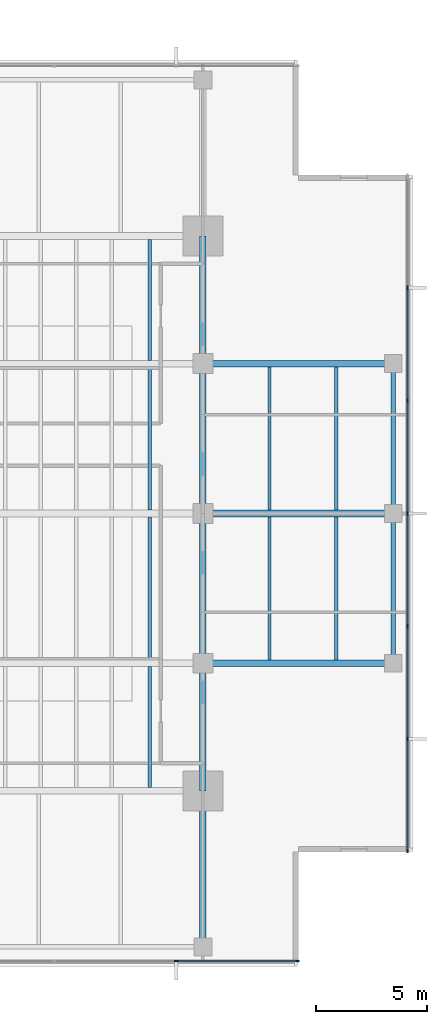
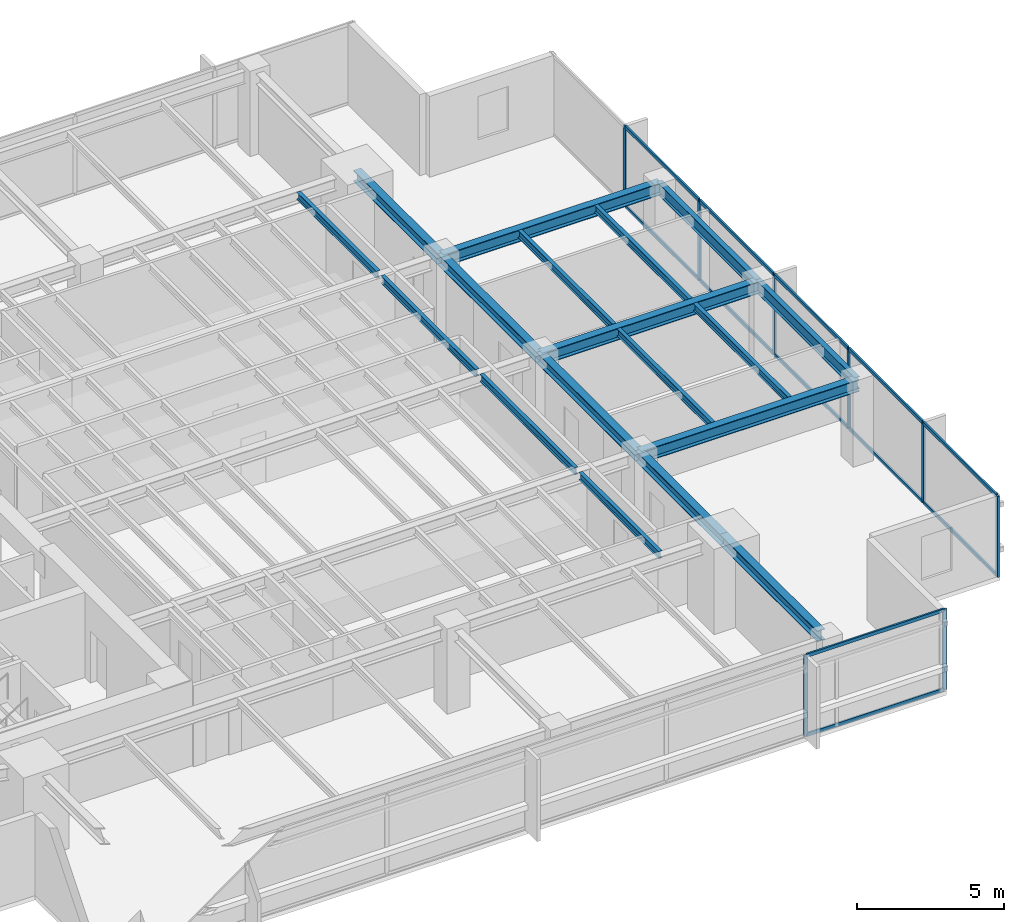
# One storey, part 4 of 14: 20 members, 18 beams, 2 elements without a shape of their own.
"""IFC4 building model written with IfcOpenShell, lengths in metres."""

from ifc_helpers import new_model, si_unit, direction, frame, origin, origin_2d, place, context, subcontext, project, spatial, rectangle, i_section, extrude, material, layer, layer_set, material_profile, profile_set, type_object, element, aggregate, save


model = new_model("IFC4")

# Units and contexts
model_context = context("Model", 3, precision=1e-05, world=origin(), true_north=direction((0.0, 1.0)))
body_context = subcontext(model_context, "Body", "Model", "MODEL_VIEW")
ifc_project = project(units=[si_unit("LENGTHUNIT", "METRE"), si_unit("AREAUNIT", "SQUARE_METRE"), si_unit("VOLUMEUNIT", "CUBIC_METRE"), si_unit("PLANEANGLEUNIT", "RADIAN"), si_unit("MASSUNIT", "GRAM", prefix="KILO")], contexts=[model_context])

# Site, building, storey
site_placement = place(None, origin())
site = spatial("IfcSite", under=ifc_project, at=site_placement, CompositionType="ELEMENT")
building_placement = place(site_placement, origin())
building = spatial("IfcBuilding", under=site, at=building_placement, Name="Kinhvarn Gate Tower", CompositionType="ELEMENT")
storey_placement = place(building_placement, frame((0.0, 0.0, 202.25)))
storey = spatial("IfcBuildingStorey", under=building, at=storey_placement, Name="L53", CompositionType="ELEMENT", Elevation=202.25)

# Curtain wall, members
ifc_material_1 = material(Name="Anodised aluminium AW-6063", Category="aluminium")
ifc_layer = layer(ifc_material_1, 0.179931640625)
ifc_layer_set = layer_set([ifc_layer], Name="Anodised aluminium AW-6063")
curtain_wall_type = type_object("IfcCurtainWallType", Name="CW-SYS-3", PredefinedType="NOTDEFINED", material=ifc_layer_set)
curtain_wall_1_placement = place(storey_placement, origin())
curtain_wall_1 = element("IfcCurtainWall", 1, at=curtain_wall_1_placement, inside=storey, type_object=curtain_wall_type, Name="Curtain Wall CW3 (L53)", PredefinedType="NOTDEFINED")
ifc_material_profile_1 = material_profile(ifc_material_1, rectangle(XDim=0.06494140625, YDim=0.159912109375, at=origin_2d()), Name="ALU 65x160")
ifc_profile_set_1 = profile_set([ifc_material_profile_1], Name="Anodised aluminium AW-6063")
member_type_1 = type_object("IfcMemberType", Name="CW-MUL-160", PredefinedType="MULLION", material=ifc_profile_set_1)
member_1_placement = place(storey_placement, frame((37.0, 5.090087890625, 0.0), z_axis=(0.0, 0.0, 1.0), x_axis=(0.0, 1.0, 0.0)))
member_1 = element("IfcMember", 2, at=member_1_placement, type_object=member_type_1, Name="CW3 mullion 6", PredefinedType="MULLION", context=body_context, shape_type="SweptSolid", body=[
    extrude(rectangle(XDim=0.06494140625, YDim=0.159912109375, at=origin_2d()), origin(), (0.0, 0.0, 1.0), 3.3701171875),
])
member_2_placement = place(storey_placement, frame((42.467529296875, 5.090087890625, 0.0), z_axis=(0.0, 0.0, 1.0), x_axis=(0.0, 1.0, 0.0)))
member_2 = element("IfcMember", 3, at=member_2_placement, type_object=member_type_1, Name="CW3 mullion 7", PredefinedType="MULLION", context=body_context, shape_type="SweptSolid", body=[
    extrude(rectangle(XDim=0.06494140625, YDim=0.159912109375, at=origin_2d()), origin(), (0.0, 0.0, 1.0), 3.3701171875),
])

curtain_wall_2_placement = place(storey_placement, origin())
curtain_wall_2 = element("IfcCurtainWall", 4, at=curtain_wall_2_placement, inside=storey, type_object=curtain_wall_type, Name="Curtain Wall CW3 (L53)", PredefinedType="NOTDEFINED")
member_3_placement = place(storey_placement, frame((47.409912109375, 10.032470703125, 0.0), z_axis=(0.0, 0.0, 1.0), x_axis=(-1.0, 0.0, 0.0)))
member_3 = element("IfcMember", 5, at=member_3_placement, type_object=member_type_1, Name="CW3 mullion 1", PredefinedType="MULLION", context=body_context, shape_type="SweptSolid", body=[
    extrude(rectangle(XDim=0.06494140625, YDim=0.159912109375, at=origin_2d()), origin(), (0.0, 0.0, 1.0), 3.3701171875),
])
member_4_placement = place(storey_placement, frame((47.409912109375, 15.083251953125, 0.0), z_axis=(0.0, 0.0, 1.0), x_axis=(-1.0, 0.0, 0.0)))
member_4 = element("IfcMember", 6, at=member_4_placement, type_object=member_type_1, Name="CW3 mullion 2", PredefinedType="MULLION", context=body_context, shape_type="SweptSolid", body=[
    extrude(rectangle(XDim=0.06494140625, YDim=0.159912109375, at=origin_2d()), origin(), (0.0, 0.0, 1.0), 3.3701171875),
])
member_5_placement = place(storey_placement, frame((47.409912109375, 20.166748046875, 0.0), z_axis=(0.0, 0.0, 1.0), x_axis=(-1.0, 0.0, 0.0)))
member_5 = element("IfcMember", 7, at=member_5_placement, type_object=member_type_1, Name="CW3 mullion 3", PredefinedType="MULLION", context=body_context, shape_type="SweptSolid", body=[
    extrude(rectangle(XDim=0.06494140625, YDim=0.159912109375, at=origin_2d()), origin(), (0.0, 0.0, 1.0), 3.3701171875),
])
member_6_placement = place(storey_placement, frame((47.409912109375, 25.25, 0.0), z_axis=(0.0, 0.0, 1.0), x_axis=(-1.0, 0.0, 0.0)))
member_6 = element("IfcMember", 8, at=member_6_placement, type_object=member_type_1, Name="CW3 mullion 4", PredefinedType="MULLION", context=body_context, shape_type="SweptSolid", body=[
    extrude(rectangle(XDim=0.06494140625, YDim=0.159912109375, at=origin_2d()), origin(), (0.0, 0.0, 1.0), 3.3701171875),
])
member_7_placement = place(storey_placement, frame((47.409912109375, 30.333251953125, 0.0), z_axis=(0.0, 0.0, 1.0), x_axis=(-1.0, 0.0, 0.0)))
member_7 = element("IfcMember", 9, at=member_7_placement, type_object=member_type_1, Name="CW3 mullion 5", PredefinedType="MULLION", context=body_context, shape_type="SweptSolid", body=[
    extrude(rectangle(XDim=0.06494140625, YDim=0.159912109375, at=origin_2d()), origin(), (0.0, 0.0, 1.0), 3.3701171875),
])
member_8_placement = place(storey_placement, frame((47.409912109375, 35.416748046875, 0.0), z_axis=(0.0, 0.0, 1.0), x_axis=(-1.0, 0.0, 0.0)))
member_8 = element("IfcMember", 10, at=member_8_placement, type_object=member_type_1, Name="CW3 mullion 6", PredefinedType="MULLION", context=body_context, shape_type="SweptSolid", body=[
    extrude(rectangle(XDim=0.06494140625, YDim=0.159912109375, at=origin_2d()), origin(), (0.0, 0.0, 1.0), 3.3701171875),
])

# Member
ifc_material_profile_2 = material_profile(ifc_material_1, rectangle(XDim=0.070068359375, YDim=0.139892578125, at=origin_2d()), Name="ALU 70x140")
ifc_profile_set_2 = profile_set([ifc_material_profile_2], Name="Anodised aluminium AW-6063")
member_type_2 = type_object("IfcMemberType", Name="CW-TRN-140", PredefinedType="USERDEFINED", material=ifc_profile_set_2)
member_9_placement = place(storey_placement, frame((37.032470703125, 5.090087890625, 0.034912109375), z_axis=(1.0, 0.0, 0.0), x_axis=(0.0, 1.0, 0.0)))
member_9 = element("IfcMember", 11, at=member_9_placement, type_object=member_type_2, Name="CW3 transom 6.1", ObjectType="TRANSOM", PredefinedType="USERDEFINED", context=body_context, shape_type="SweptSolid", body=[
    extrude(rectangle(XDim=0.070068359375, YDim=0.139892578125, at=origin_2d()), origin(), (0.0, 0.0, 1.0), 5.402587890625),
])

member_10_placement = place(storey_placement, frame((37.032470703125, 5.090087890625, 3.3349609375), z_axis=(1.0, 0.0, 0.0), x_axis=(0.0, 1.0, 0.0)))
member_10 = element("IfcMember", 12, at=member_10_placement, type_object=member_type_2, Name="CW3 transom 6.2", ObjectType="TRANSOM", PredefinedType="USERDEFINED", context=body_context, shape_type="SweptSolid", body=[
    extrude(rectangle(XDim=0.070068359375, YDim=0.139892578125, at=origin_2d()), origin(), (0.0, 0.0, 1.0), 5.402587890625),
])

aggregate(curtain_wall_1, [member_1, member_2, member_9, member_10])

member_11_placement = place(storey_placement, frame((47.409912109375, 10.06494140625, 0.034912109375), z_axis=(0.0, 1.0, 0.0), x_axis=(-1.0, 0.0, 0.0)))
member_11 = element("IfcMember", 13, at=member_11_placement, type_object=member_type_2, Name="CW3 transom 1.1", ObjectType="TRANSOM", PredefinedType="USERDEFINED", context=body_context, shape_type="SweptSolid", body=[
    extrude(rectangle(XDim=0.070068359375, YDim=0.139892578125, at=origin_2d()), origin(), (0.0, 0.0, 1.0), 4.98583984375),
])

member_12_placement = place(storey_placement, frame((47.409912109375, 10.06494140625, 3.3349609375), z_axis=(0.0, 1.0, 0.0), x_axis=(-1.0, 0.0, 0.0)))
member_12 = element("IfcMember", 14, at=member_12_placement, type_object=member_type_2, Name="CW3 transom 1.2", ObjectType="TRANSOM", PredefinedType="USERDEFINED", context=body_context, shape_type="SweptSolid", body=[
    extrude(rectangle(XDim=0.070068359375, YDim=0.139892578125, at=origin_2d()), origin(), (0.0, 0.0, 1.0), 4.98583984375),
])

member_13_placement = place(storey_placement, frame((47.409912109375, 15.11572265625, 0.034912109375), z_axis=(0.0, 1.0, 0.0), x_axis=(-1.0, 0.0, 0.0)))
member_13 = element("IfcMember", 15, at=member_13_placement, type_object=member_type_2, Name="CW3 transom 2.1", ObjectType="TRANSOM", PredefinedType="USERDEFINED", context=body_context, shape_type="SweptSolid", body=[
    extrude(rectangle(XDim=0.070068359375, YDim=0.139892578125, at=origin_2d()), origin(), (0.0, 0.0, 1.0), 5.0185546875),
])

member_14_placement = place(storey_placement, frame((47.409912109375, 15.11572265625, 3.3349609375), z_axis=(0.0, 1.0, 0.0), x_axis=(-1.0, 0.0, 0.0)))
member_14 = element("IfcMember", 16, at=member_14_placement, type_object=member_type_2, Name="CW3 transom 2.2", ObjectType="TRANSOM", PredefinedType="USERDEFINED", context=body_context, shape_type="SweptSolid", body=[
    extrude(rectangle(XDim=0.070068359375, YDim=0.139892578125, at=origin_2d()), origin(), (0.0, 0.0, 1.0), 5.0185546875),
])

member_15_placement = place(storey_placement, frame((47.409912109375, 20.19921875, 0.034912109375), z_axis=(0.0, 1.0, 0.0), x_axis=(-1.0, 0.0, 0.0)))
member_15 = element("IfcMember", 17, at=member_15_placement, type_object=member_type_2, Name="CW3 transom 3.1", ObjectType="TRANSOM", PredefinedType="USERDEFINED", context=body_context, shape_type="SweptSolid", body=[
    extrude(rectangle(XDim=0.070068359375, YDim=0.139892578125, at=origin_2d()), origin(), (0.0, 0.0, 1.0), 5.018310546875),
])

member_16_placement = place(storey_placement, frame((47.409912109375, 20.19921875, 3.3349609375), z_axis=(0.0, 1.0, 0.0), x_axis=(-1.0, 0.0, 0.0)))
member_16 = element("IfcMember", 18, at=member_16_placement, type_object=member_type_2, Name="CW3 transom 3.2", ObjectType="TRANSOM", PredefinedType="USERDEFINED", context=body_context, shape_type="SweptSolid", body=[
    extrude(rectangle(XDim=0.070068359375, YDim=0.139892578125, at=origin_2d()), origin(), (0.0, 0.0, 1.0), 5.018310546875),
])

member_17_placement = place(storey_placement, frame((47.409912109375, 25.282470703125, 0.034912109375), z_axis=(0.0, 1.0, 0.0), x_axis=(-1.0, 0.0, 0.0)))
member_17 = element("IfcMember", 19, at=member_17_placement, type_object=member_type_2, Name="CW3 transom 4.1", ObjectType="TRANSOM", PredefinedType="USERDEFINED", context=body_context, shape_type="SweptSolid", body=[
    extrude(rectangle(XDim=0.070068359375, YDim=0.139892578125, at=origin_2d()), origin(), (0.0, 0.0, 1.0), 5.018310546875),
])

member_18_placement = place(storey_placement, frame((47.409912109375, 25.282470703125, 3.3349609375), z_axis=(0.0, 1.0, 0.0), x_axis=(-1.0, 0.0, 0.0)))
member_18 = element("IfcMember", 20, at=member_18_placement, type_object=member_type_2, Name="CW3 transom 4.2", ObjectType="TRANSOM", PredefinedType="USERDEFINED", context=body_context, shape_type="SweptSolid", body=[
    extrude(rectangle(XDim=0.070068359375, YDim=0.139892578125, at=origin_2d()), origin(), (0.0, 0.0, 1.0), 5.018310546875),
])

member_19_placement = place(storey_placement, frame((47.409912109375, 30.36572265625, 0.034912109375), z_axis=(0.0, 1.0, 0.0), x_axis=(-1.0, 0.0, 0.0)))
member_19 = element("IfcMember", 21, at=member_19_placement, type_object=member_type_2, Name="CW3 transom 5.1", ObjectType="TRANSOM", PredefinedType="USERDEFINED", context=body_context, shape_type="SweptSolid", body=[
    extrude(rectangle(XDim=0.070068359375, YDim=0.139892578125, at=origin_2d()), origin(), (0.0, 0.0, 1.0), 5.0185546875),
])

member_20_placement = place(storey_placement, frame((47.409912109375, 30.36572265625, 3.3349609375), z_axis=(0.0, 1.0, 0.0), x_axis=(-1.0, 0.0, 0.0)))
member_20 = element("IfcMember", 22, at=member_20_placement, type_object=member_type_2, Name="CW3 transom 5.2", ObjectType="TRANSOM", PredefinedType="USERDEFINED", context=body_context, shape_type="SweptSolid", body=[
    extrude(rectangle(XDim=0.070068359375, YDim=0.139892578125, at=origin_2d()), origin(), (0.0, 0.0, 1.0), 5.0185546875),
])

aggregate(curtain_wall_2, [member_3, member_4, member_5, member_6, member_7, member_8, member_11, member_12, member_13, member_14, member_15, member_16, member_17, member_18, member_19, member_20])

# Beams
ifc_material_2 = material(Name="Steel S355", Category="steel")
ifc_material_profile_3 = material_profile(ifc_material_2, i_section(OverallWidth=0.300048828125, OverallDepth=0.449951171875, WebThickness=0.013916015625, FlangeThickness=0.02587890625, at=origin_2d()), Name="HEB 450")
ifc_profile_set_3 = profile_set([ifc_material_profile_3], Name="Steel S355")
beam_type_1 = type_object("IfcBeamType", Name="STL-HEB450", PredefinedType="BEAM", material=ifc_profile_set_3)
beam_1_placement = place(storey_placement, frame((38.199951171875, 6.10498046875, 3.14501953125), z_axis=(0.0, 1.0, 0.0), x_axis=(-1.0, 0.0, 0.0)))
element("IfcBeam", 23, at=beam_1_placement, inside=storey, type_object=beam_type_1, Name="Floor Beam PG-13 (L53 MCE-S)", PredefinedType="BEAM", context=body_context, shape_type="SweptSolid", body=[
    extrude(i_section(OverallWidth=0.300048828125, OverallDepth=0.449951171875, WebThickness=0.013916015625, FlangeThickness=0.02587890625, at=origin_2d()), origin(), (0.0, 0.0, 1.0), 6.64501953125),
])
beam_2_placement = place(storey_placement, frame((38.199951171875, 12.75, 3.14501953125), z_axis=(0.0, 1.0, 0.0), x_axis=(-1.0, 0.0, 0.0)))
element("IfcBeam", 24, at=beam_2_placement, inside=storey, type_object=beam_type_1, Name="Floor Beam PG-13 (L53 MG-E-12)", PredefinedType="BEAM", context=body_context, shape_type="SweptSolid", body=[
    extrude(i_section(OverallWidth=0.300048828125, OverallDepth=0.449951171875, WebThickness=0.013916015625, FlangeThickness=0.02587890625, at=origin_2d()), origin(), (0.0, 0.0, 1.0), 5.75),
])
for number, where, z_axis, x_axis, name in (
    (25, (38.199951171875, 18.5, 3.14501953125), (0.0, 1.0, 0.0), (-1.0, 0.0, 0.0), "Floor Beam PG-13 (L53 MG-E-18)"),
    (26, (38.199951171875, 25.25, 3.14501953125), (0.0, 1.0, 0.0), (-1.0, 0.0, 0.0), "Floor Beam PG-13 (L53 MG-E-25)"),
):
    element("IfcBeam", number, at=place(storey_placement, frame(where, z_axis=z_axis, x_axis=x_axis)), inside=storey, type_object=beam_type_1, Name=name, PredefinedType="BEAM", context=body_context, shape_type="SweptSolid", body=[
        extrude(i_section(OverallWidth=0.300048828125, OverallDepth=0.449951171875, WebThickness=0.013916015625, FlangeThickness=0.02587890625, at=origin_2d()), origin(), (0.0, 0.0, 1.0), 6.75),
    ])
beam_3_placement = place(storey_placement, frame((38.199951171875, 32.0, 3.14501953125), z_axis=(0.0, 1.0, 0.0), x_axis=(-1.0, 0.0, 0.0)))
element("IfcBeam", 27, at=beam_3_placement, inside=storey, type_object=beam_type_1, Name="Floor Beam PG-13 (L53 MG-E-32)", PredefinedType="BEAM", context=body_context, shape_type="SweptSolid", body=[
    extrude(i_section(OverallWidth=0.300048828125, OverallDepth=0.449951171875, WebThickness=0.013916015625, FlangeThickness=0.02587890625, at=origin_2d()), origin(), (0.0, 0.0, 1.0), 5.75),
])
ifc_material_profile_4 = material_profile(ifc_material_2, i_section(OverallWidth=0.300048828125, OverallDepth=0.5, WebThickness=0.014404296875, FlangeThickness=0.028076171875, at=origin_2d()), Name="HEB 500")
ifc_profile_set_4 = profile_set([ifc_material_profile_4], Name="Steel S355")
beam_type_2 = type_object("IfcBeamType", Name="STL-HEB500", PredefinedType="BEAM", material=ifc_profile_set_4)
for number, where, z_axis, x_axis, name in (
    (28, (38.199951171875, 18.5, 3.1201171875), (1.0, 0.0, 0.0), (0.0, 1.0, 0.0), "Floor Beam PG-14 (L53 EW2-Y18)"),
    (29, (38.199951171875, 25.25, 3.1201171875), (1.0, 0.0, 0.0), (0.0, 1.0, 0.0), "Floor Beam PG-14 (L53 EW2-Y25)"),
    (30, (38.199951171875, 32.0, 3.1201171875), (1.0, 0.0, 0.0), (0.0, 1.0, 0.0), "Floor Beam PG-14 (L53 EW2-Y32)"),
):
    element("IfcBeam", number, at=place(storey_placement, frame(where, z_axis=z_axis, x_axis=x_axis)), inside=storey, type_object=beam_type_2, Name=name, PredefinedType="BEAM", context=body_context, shape_type="SweptSolid", body=[
        extrude(i_section(OverallWidth=0.300048828125, OverallDepth=0.5, WebThickness=0.014404296875, FlangeThickness=0.028076171875, at=origin_2d()), origin(), (0.0, 0.0, 1.0), 8.580078125),
    ])
ifc_material_profile_5 = material_profile(ifc_material_2, i_section(OverallWidth=0.14990234375, OverallDepth=0.300048828125, WebThickness=0.007080078125, FlangeThickness=0.0107421875, at=origin_2d()), Name="IPE 300")
ifc_profile_set_5 = profile_set([ifc_material_profile_5], Name="Steel S355")
beam_type_3 = type_object("IfcBeamType", Name="STL-IPE300", PredefinedType="JOIST", material=ifc_profile_set_5)
beam_4_placement = place(storey_placement, frame((35.800048828125, 12.89990234375, 3.219970703125), z_axis=(0.0, 1.0, 0.0), x_axis=(-1.0, 0.0, 0.0)))
element("IfcBeam", 31, at=beam_4_placement, inside=storey, type_object=beam_type_3, Name="Floor Joist SB-02 (L53 JC-X358-0)", PredefinedType="JOIST", context=body_context, shape_type="SweptSolid", body=[
    extrude(i_section(OverallWidth=0.14990234375, OverallDepth=0.300048828125, WebThickness=0.007080078125, FlangeThickness=0.0107421875, at=origin_2d()), origin(), (0.0, 0.0, 1.0), 5.4501953125),
])
for number, where, z_axis, x_axis, name in (
    (32, (35.800048828125, 18.64990234375, 3.219970703125), (0.0, 1.0, 0.0), (-1.0, 0.0, 0.0), "Floor Joist SB-02 (L53 JC-X358-1)"),
    (33, (35.800048828125, 25.39990234375, 3.219970703125), (0.0, 1.0, 0.0), (-1.0, 0.0, 0.0), "Floor Joist SB-02 (L53 JC-X358-2)"),
):
    element("IfcBeam", number, at=place(storey_placement, frame(where, z_axis=z_axis, x_axis=x_axis)), inside=storey, type_object=beam_type_3, Name=name, PredefinedType="JOIST", context=body_context, shape_type="SweptSolid", body=[
        extrude(i_section(OverallWidth=0.14990234375, OverallDepth=0.300048828125, WebThickness=0.007080078125, FlangeThickness=0.0107421875, at=origin_2d()), origin(), (0.0, 0.0, 1.0), 6.4501953125),
    ])
beam_5_placement = place(storey_placement, frame((35.800048828125, 32.14990234375, 3.219970703125), z_axis=(0.0, 1.0, 0.0), x_axis=(-1.0, 0.0, 0.0)))
element("IfcBeam", 34, at=beam_5_placement, inside=storey, type_object=beam_type_3, Name="Floor Joist SB-02 (L53 JC-X358-3)", PredefinedType="JOIST", context=body_context, shape_type="SweptSolid", body=[
    extrude(i_section(OverallWidth=0.14990234375, OverallDepth=0.300048828125, WebThickness=0.007080078125, FlangeThickness=0.0107421875, at=origin_2d()), origin(), (0.0, 0.0, 1.0), 5.4501953125),
])
for number, where, z_axis, x_axis, name in (
    (35, (41.199951171875, 18.64990234375, 3.219970703125), (0.0, 1.0, 0.0), (-1.0, 0.0, 0.0), "Floor Joist SB-02 (L53 JC-X412-1)"),
    (36, (41.199951171875, 25.39990234375, 3.219970703125), (0.0, 1.0, 0.0), (-1.0, 0.0, 0.0), "Floor Joist SB-02 (L53 JC-X412-2)"),
    (37, (44.2099609375, 18.64990234375, 3.219970703125), (0.0, 1.0, 0.0), (-1.0, 0.0, 0.0), "Floor Joist SB-02 (L53 JC-X442-1)"),
    (38, (44.2099609375, 25.39990234375, 3.219970703125), (0.0, 1.0, 0.0), (-1.0, 0.0, 0.0), "Floor Joist SB-02 (L53 JC-X442-2)"),
):
    element("IfcBeam", number, at=place(storey_placement, frame(where, z_axis=z_axis, x_axis=x_axis)), inside=storey, type_object=beam_type_3, Name=name, PredefinedType="JOIST", context=body_context, shape_type="SweptSolid", body=[
        extrude(i_section(OverallWidth=0.14990234375, OverallDepth=0.300048828125, WebThickness=0.007080078125, FlangeThickness=0.0107421875, at=origin_2d()), origin(), (0.0, 0.0, 1.0), 6.4501953125),
    ])
ifc_material_profile_6 = material_profile(ifc_material_2, i_section(OverallWidth=0.199951171875, OverallDepth=0.5, WebThickness=0.01025390625, FlangeThickness=0.01611328125, at=origin_2d()), Name="IPE 500")
ifc_profile_set_6 = profile_set([ifc_material_profile_6], Name="Steel S355")
beam_type_4 = type_object("IfcBeamType", Name="STL-IPE500", PredefinedType="SPANDREL", material=ifc_profile_set_6)
for number, where, z_axis, x_axis, name in (
    (39, (46.780029296875, 18.5, 3.1201171875), (0.0, 1.0, 0.0), (-1.0, 0.0, 0.0), "Floor Spandrel SB-07 (L53 SP-E2)"),
    (40, (46.780029296875, 25.25, 3.1201171875), (0.0, 1.0, 0.0), (-1.0, 0.0, 0.0), "Floor Spandrel SB-07 (L53 SP-E3)"),
):
    element("IfcBeam", number, at=place(storey_placement, frame(where, z_axis=z_axis, x_axis=x_axis)), inside=storey, type_object=beam_type_4, Name=name, PredefinedType="SPANDREL", context=body_context, shape_type="SweptSolid", body=[
        extrude(i_section(OverallWidth=0.199951171875, OverallDepth=0.5, WebThickness=0.01025390625, FlangeThickness=0.01611328125, at=origin_2d()), origin(), (0.0, 0.0, 1.0), 6.75),
    ])

save(model, "model.ifc")
